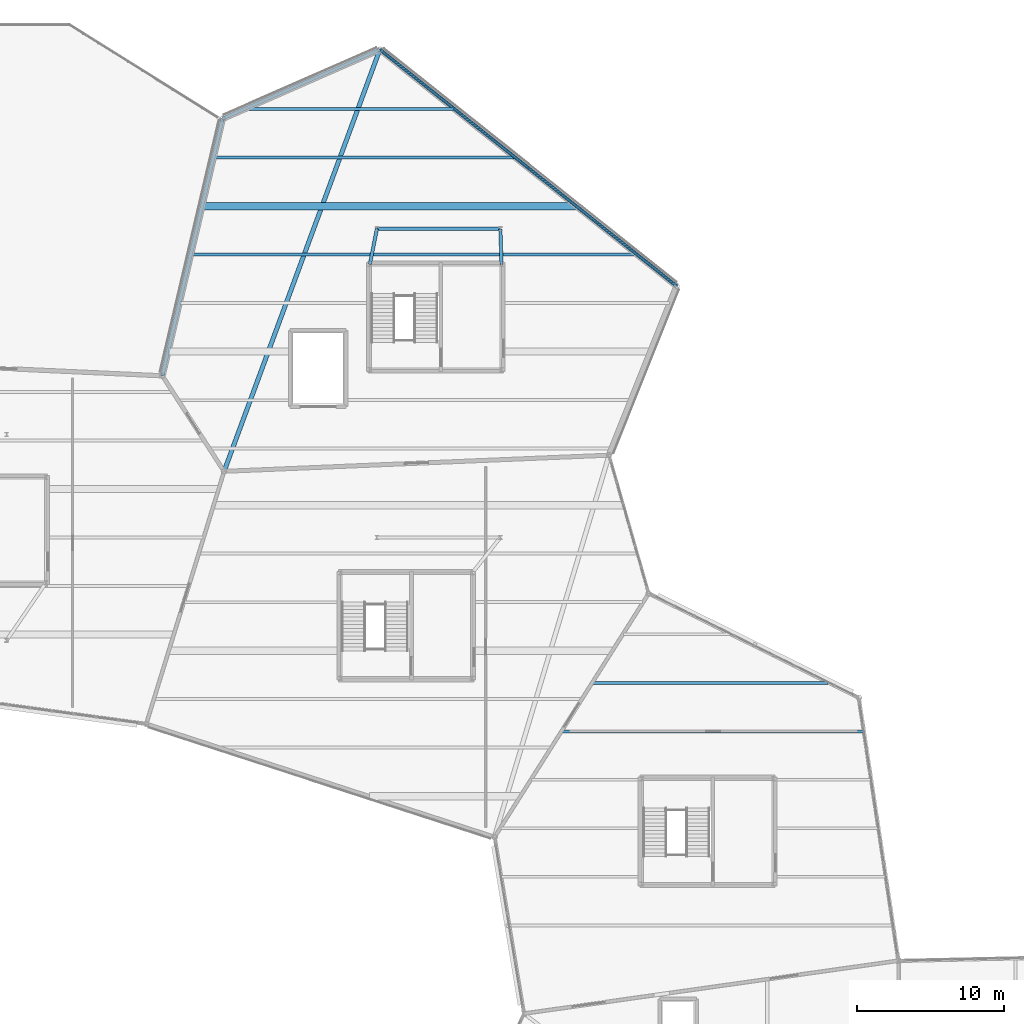
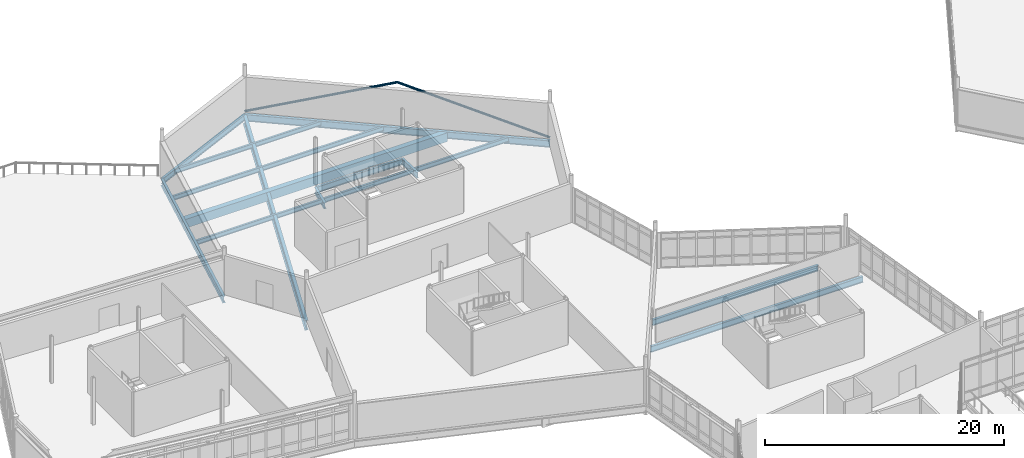
# One storey, part 48 of 114: 13 beams, 2 members.
"""IFC4 building model written with IfcOpenShell, lengths in metres."""

import ifcopenshell
import ifcopenshell.guid

model = None  # the IFC model being written
_history = None  # IfcOwnerHistory: only IFC2X3 demands one
_inside = {}  # id of a spatial element -> (the spatial element, [elements in it])
_under = {}  # id of a project, library or spatial element -> (it, [spatial elements below it])
_declared = {}  # id of a project -> (the project, [libraries it declares])
_typed = {}  # id of a type object -> (the type object, [elements of that type])
_made_of = {}  # id of a material, layer set ... -> (it, [elements and type objects made of it])


def new_model(schema):
    """Start an empty IFC model of exactly this schema.

    Asked for "IFC4X3", IfcOpenShell would pick the latest addendum, in which some entities
    have other attributes; the version numbers below select the first issue.
    IFC2X3 requires an IfcOwnerHistory on every rooted entity: one is made here for all.
    """
    global model, _history
    if schema == "IFC4X3":
        model = ifcopenshell.file(schema_version=(4, 3, 0, 0))
    else:
        model = ifcopenshell.file(schema=schema)
    _inside.clear()
    _under.clear()
    _declared.clear()
    _typed.clear()
    _made_of.clear()
    _history = None
    if model.schema == "IFC2X3":
        org = make("IfcOrganization", Name="unknown")
        user = make(
            "IfcPersonAndOrganization",
            ThePerson=make("IfcPerson", FamilyName="unknown"),
            TheOrganization=org,
        )
        app = make(
            "IfcApplication",
            ApplicationDeveloper=org,
            Version="unknown",
            ApplicationFullName="unknown",
            ApplicationIdentifier="unknown",
        )
        _history = make(
            "IfcOwnerHistory",
            OwningUser=user,
            OwningApplication=app,
            ChangeAction="ADDED",
            CreationDate=0,
        )
    return model


def make(cls, **values):
    """One entity of the class cls with the attributes given. An attribute that is None is left unset."""
    return model.create_entity(
        cls, **{name: value for name, value in values.items() if value is not None}
    )


def rooted(cls, **values):
    """An entity with a GlobalId (a new one), such as an element, a storey or a relation."""
    return make(cls, GlobalId=ifcopenshell.guid.new(), OwnerHistory=_history, **values)


def si_unit(unit_type, name, prefix=None):
    """IfcSIUnit, for example si_unit("LENGTHUNIT", "METRE", prefix="MILLI")."""
    return make("IfcSIUnit", UnitType=unit_type, Prefix=prefix, Name=name)


def assignment(units):
    """IfcUnitAssignment: the units of a project."""
    return None if units is None else make("IfcUnitAssignment", Units=units)


def point(xyz):
    """IfcCartesianPoint."""
    return None if xyz is None else make("IfcCartesianPoint", Coordinates=xyz)


def direction(xyz):
    """IfcDirection."""
    return None if xyz is None else make("IfcDirection", DirectionRatios=xyz)


def frame(location, z_axis=None, x_axis=None):
    """IfcAxis2Placement3D, a coordinate frame: its origin and axes. An axis left out is left unset."""
    return make(
        "IfcAxis2Placement3D",
        Location=point(location),
        Axis=direction(z_axis),
        RefDirection=direction(x_axis),
    )


def frame_2d(location, x_axis=None):
    """IfcAxis2Placement2D, a coordinate frame in the plane: its origin and x axis."""
    return make(
        "IfcAxis2Placement2D", Location=point(location), RefDirection=direction(x_axis)
    )


def origin():
    """The frame at (0, 0, 0) with its axes left unset."""
    return frame((0.0, 0.0, 0.0))


def origin_2d():
    """The frame at (0, 0) in the plane with its x axis left unset."""
    return frame_2d((0.0, 0.0))


def place(relative_to, where):
    """IfcLocalPlacement: puts the frame where relative to a parent placement (None: the world)."""
    return make(
        "IfcLocalPlacement", PlacementRelTo=relative_to, RelativePlacement=where
    )


def context(
    kind, dimensions, precision=None, world=None, true_north=None, identifier=None
):
    """IfcGeometricRepresentationContext, for example the 3D "Model" context."""
    return make(
        "IfcGeometricRepresentationContext",
        ContextIdentifier=identifier,
        ContextType=kind,
        CoordinateSpaceDimension=dimensions,
        Precision=precision,
        WorldCoordinateSystem=world,
        TrueNorth=true_north,
    )


def subcontext(parent, identifier, kind, view, scale=None):
    """IfcGeometricRepresentationSubContext, for example "Body" below "Model"."""
    return make(
        "IfcGeometricRepresentationSubContext",
        ContextIdentifier=identifier,
        ContextType=kind,
        ParentContext=parent,
        TargetScale=scale,
        TargetView=view,
    )


def project(units=None, contexts=None):
    """IfcProject with its units and contexts."""
    return rooted(
        "IfcProject",
        Name="project",
        RepresentationContexts=contexts,
        UnitsInContext=assignment(units),
    )


def spatial(cls, under=None, at=None, **own):
    """A site, building, storey or space (cls), placed at a placement, below another one or the project."""
    s = rooted(cls, ObjectPlacement=at, **own)
    if under is not None:
        _under.setdefault(under.id(), (under, []))[1].append(s)
    return s


def profile(cls, at=None, kind="AREA", **sizes):
    """A parametric profile (cls). Its sizes go by their IFC names, for example OverallWidth=200.0."""
    return make(cls, ProfileType=kind, Position=at, **sizes)


def rectangle(**sizes):
    """IfcRectangleProfileDef."""
    return profile("IfcRectangleProfileDef", **sizes)


def hollow_circle(**sizes):
    """IfcCircleHollowProfileDef."""
    return profile("IfcCircleHollowProfileDef", **sizes)


def i_section(**sizes):
    """IfcIShapeProfileDef."""
    return profile("IfcIShapeProfileDef", **sizes)


def extrude(swept, where, along, depth):
    """IfcExtrudedAreaSolid: the profile swept, set in the frame where, extruded along a direction by depth."""
    return make(
        "IfcExtrudedAreaSolid",
        SweptArea=swept,
        Position=where,
        ExtrudedDirection=direction(along),
        Depth=depth,
    )


def shape(context_of_items, identifier, shape_type, items):
    """IfcShapeRepresentation: the items that make up one representation, for example the "Body"."""
    return make(
        "IfcShapeRepresentation",
        ContextOfItems=context_of_items,
        RepresentationIdentifier=identifier,
        RepresentationType=shape_type,
        Items=items,
    )


def material(Name=None, Category=None):
    """IfcMaterial."""
    return make("IfcMaterial", Name=Name, Category=Category)


def material_profile(
    of_material, cross_section, Name=None, Category=None, Priority=None
):
    """IfcMaterialProfile: a cross section and its material."""
    return make(
        "IfcMaterialProfile",
        Name=Name,
        Material=of_material,
        Profile=cross_section,
        Priority=Priority,
        Category=Category,
    )


def profile_set(profiles, Name=None, composite=None):
    """IfcMaterialProfileSet."""
    return make(
        "IfcMaterialProfileSet",
        Name=Name,
        MaterialProfiles=profiles,
        CompositeProfile=composite,
    )


def made_of(thing, what):
    """Note that an element or type object is made of a material, layer set ...; save() writes the relation."""
    if what is not None:
        _made_of.setdefault(what.id(), (what, []))[1].append(thing)
    return thing


def type_object(cls, material=None, **own):
    """A type object (cls), such as IfcWallType, which elements share."""
    return made_of(rooted(cls, **own), material)


def element(
    cls,
    number,
    at=None,
    inside=None,
    cuts=None,
    type_object=None,
    material=None,
    context=None,
    identifier="Body",
    shape_type=None,
    held_by="IfcProductDefinitionShape",
    body=None,
    shapes=None,
    **own,
):
    """One element of the class cls, such as IfcWall. Its Tag is "e" and its number.

    at: its placement. inside: the storey or other place that contains it. cuts: it is an
    opening in that element (IfcRelVoidsElement). A single representation is given by context,
    identifier, shape_type and body (its items); several are given by shapes. held_by: the class
    of the entity that holds the representations. save() writes the other relations.
    """
    e = rooted(cls, Tag="e%d" % number, ObjectPlacement=at, **own)
    if body is not None:
        shapes = [shape(context, identifier, shape_type, body)]
    if shapes is not None:
        e.Representation = make(held_by, Representations=shapes)
    if inside is not None:
        _inside.setdefault(inside.id(), (inside, []))[1].append(e)
    if cuts is not None:
        rooted(
            "IfcRelVoidsElement", RelatingBuildingElement=cuts, RelatedOpeningElement=e
        )
    if type_object is not None:
        _typed.setdefault(type_object.id(), (type_object, []))[1].append(e)
    return made_of(e, material)


def aggregate(whole, parts):
    """IfcRelAggregates: a whole, such as a stair, and the parts it consists of."""
    return rooted("IfcRelAggregates", RelatingObject=whole, RelatedObjects=parts)


def save(model, path):
    """Write the relations noted so far, then the file.

    IfcRelAggregates (storeys below a building ...), IfcRelContainedInSpatialStructure (elements
    in a storey), IfcRelDefinesByType, IfcRelAssociatesMaterial and IfcRelDeclares: one each for
    every whole, place, type object, material and project.
    """
    for whole, parts in _under.values():
        aggregate(whole, parts)
    for where, things in _inside.values():
        rooted(
            "IfcRelContainedInSpatialStructure",
            RelatedElements=things,
            RelatingStructure=where,
        )
    for kind, things in _typed.values():
        rooted("IfcRelDefinesByType", RelatedObjects=things, RelatingType=kind)
    for what, things in _made_of.values():
        rooted("IfcRelAssociatesMaterial", RelatedObjects=things, RelatingMaterial=what)
    for by, libraries in _declared.values():
        rooted("IfcRelDeclares", RelatingContext=by, RelatedDefinitions=libraries)
    model.write(path)


model = new_model("IFC4")

# Units and contexts
model_context = context("Model", 3, precision=1e-05, world=origin(), true_north=direction((0.0, 1.0)))
body_context = subcontext(model_context, "Body", "Model", "MODEL_VIEW")
ifc_project = project(units=[si_unit("LENGTHUNIT", "METRE"), si_unit("AREAUNIT", "SQUARE_METRE"), si_unit("VOLUMEUNIT", "CUBIC_METRE"), si_unit("PLANEANGLEUNIT", "RADIAN"), si_unit("MASSUNIT", "GRAM", prefix="KILO")], contexts=[model_context])

# Site, building, storey
site_placement = place(None, origin())
site = spatial("IfcSite", under=ifc_project, at=site_placement, CompositionType="ELEMENT")
building_placement = place(site_placement, origin())
building = spatial("IfcBuilding", under=site, at=building_placement, Name="Tameran Prism Museum", CompositionType="ELEMENT")
storey_placement = place(building_placement, frame((0.0, 0.0, 10.199951171875)))
storey = spatial("IfcBuildingStorey", under=building, at=storey_placement, Name="L02", CompositionType="ELEMENT", Elevation=10.199951171875)

# Beams
ifc_material_1 = material(Name="Steel Grade 300PLUS (300 MPa)", Category="steel")
ifc_material_profile_1 = material_profile(ifc_material_1, i_section(OverallWidth=0.19091796875, OverallDepth=0.4599609375, WebThickness=0.010009765625, FlangeThickness=0.01611328125, FilletRadius=0.011474609375, at=origin_2d()))
ifc_profile_set_1 = profile_set([ifc_material_profile_1])
beam_type_1 = type_object("IfcBeamType", Name="BM-J460A", PredefinedType="JOIST", material=ifc_profile_set_1)
beam_1_placement = place(storey_placement, frame((29.3740234375, 96.25, -0.489990234375), z_axis=(1.0, 0.0, 0.0), x_axis=(0.0, 1.0, 0.0)))
element("IfcBeam", 1, at=beam_1_placement, inside=storey, type_object=beam_type_1, Name="Floor Beam BM-0921", PredefinedType="JOIST", context=body_context, shape_type="SweptSolid", body=[
    extrude(i_section(OverallWidth=0.19091796875, OverallDepth=0.4599609375, WebThickness=0.010009765625, FlangeThickness=0.01611328125, FilletRadius=0.011474609375, at=origin_2d()), origin(), (0.0, 0.0, 1.0), 30.263916015625),
])
beam_2_placement = place(storey_placement, frame((30.919921875, 102.85009765625, -0.489990234375), z_axis=(1.0, 0.0, 0.0), x_axis=(0.0, 1.0, 0.0)))
element("IfcBeam", 2, at=beam_2_placement, inside=storey, type_object=beam_type_1, Name="Floor Beam BM-0923", PredefinedType="JOIST", context=body_context, shape_type="SweptSolid", body=[
    extrude(i_section(OverallWidth=0.19091796875, OverallDepth=0.4599609375, WebThickness=0.010009765625, FlangeThickness=0.01611328125, FilletRadius=0.011474609375, at=origin_2d()), origin(), (0.0, 0.0, 1.0), 20.43798828125),
])
beam_3_placement = place(storey_placement, frame((33.0791015625, 106.14990234375, -0.489990234375), z_axis=(1.0, 0.0, 0.0), x_axis=(0.0, 1.0, 0.0)))
element("IfcBeam", 3, at=beam_3_placement, inside=storey, type_object=beam_type_1, Name="Floor Beam BM-0924", PredefinedType="JOIST", context=body_context, shape_type="SweptSolid", body=[
    extrude(i_section(OverallWidth=0.19091796875, OverallDepth=0.4599609375, WebThickness=0.010009765625, FlangeThickness=0.01611328125, FilletRadius=0.011474609375, at=origin_2d()), origin(), (0.0, 0.0, 1.0), 14.137939453125),
])
ifc_material_2 = material(Name="Concrete N40 (40 MPa)", Category="concrete")
ifc_material_profile_2 = material_profile(ifc_material_2, rectangle(XDim=0.5, YDim=0.89990234375, at=origin_2d()))
ifc_profile_set_2 = profile_set([ifc_material_profile_2])
beam_type_2 = type_object("IfcBeamType", Name="BM-RC900", PredefinedType="BEAM", material=ifc_profile_set_2)
beam_4_placement = place(storey_placement, frame((30.14697265625, 99.550048828125, -0.7099609375), z_axis=(1.0, 0.0, 0.0), x_axis=(0.0, 1.0, 0.0)))
element("IfcBeam", 4, at=beam_4_placement, inside=storey, type_object=beam_type_2, Name="Floor Beam BM-0922", PredefinedType="BEAM", context=body_context, shape_type="SweptSolid", body=[
    extrude(rectangle(XDim=0.5, YDim=0.89990234375, at=origin_2d()), origin(), (0.0, 0.0, 1.0), 25.35107421875),
])
ifc_material_3 = material(Name="Steel Grade 300PLUS (300 MPa)", Category="steel")
ifc_material_profile_3 = material_profile(ifc_material_3, i_section(OverallWidth=0.22802734375, OverallDepth=0.60205078125, WebThickness=0.010498046875, FlangeThickness=0.014892578125, FilletRadius=0.013916015625, at=origin_2d()))
ifc_profile_set_3 = profile_set([ifc_material_profile_3])
beam_type_3 = type_object("IfcBeamType", Name="BM-SP610", PredefinedType="SPANDREL", material=ifc_profile_set_3)
beam_5_placement = place(storey_placement, frame((42.199951171875, 110.199951171875, -0.56103515625), z_axis=(-0.915568057854, -0.40216306573, 0.0), x_axis=(0.40216306573, -0.915568057854, 0.0)))
element("IfcBeam", 5, at=beam_5_placement, inside=storey, type_object=beam_type_3, Name="Perimeter Spandrel SP-0736", PredefinedType="SPANDREL", context=body_context, shape_type="SweptSolid", body=[
    extrude(i_section(OverallWidth=0.22802734375, OverallDepth=0.60205078125, WebThickness=0.010498046875, FlangeThickness=0.014892578125, FilletRadius=0.013916015625, at=origin_2d()), origin(), (0.0, 0.0, 1.0), 11.686767578125),
])
ifc_material_4 = material(Name="Steel Grade 350 (350 MPa)", Category="steel")
ifc_material_profile_4 = material_profile(ifc_material_4, i_section(OverallWidth=0.25, OverallDepth=0.699951171875, WebThickness=0.010009765625, FlangeThickness=0.02001953125, at=origin_2d()))
ifc_profile_set_4 = profile_set([ifc_material_profile_4])
beam_type_4 = type_object("IfcBeamType", Name="BM-SP700", PredefinedType="SPANDREL", material=ifc_profile_set_4)
beam_6_placement = place(storey_placement, frame((62.39990234375, 94.10009765625, -0.60986328125), z_axis=(-0.78200261515, 0.623275147827, 0.0), x_axis=(-0.623275147827, -0.78200261515, 0.0)))
element("IfcBeam", 6, at=beam_6_placement, inside=storey, type_object=beam_type_4, Name="Perimeter Spandrel SP-0735", PredefinedType="SPANDREL", context=body_context, shape_type="SweptSolid", body=[
    extrude(i_section(OverallWidth=0.25, OverallDepth=0.699951171875, WebThickness=0.010009765625, FlangeThickness=0.02001953125, at=origin_2d()), origin(), (0.0, 0.0, 1.0), 25.8310546875),
])
beam_7_placement = place(storey_placement, frame((31.5, 105.5, -0.60986328125), z_axis=(-0.228114067381, -0.973634414071, 0.0), x_axis=(0.973634414071, -0.228114067381, 0.0)))
element("IfcBeam", 7, at=beam_7_placement, inside=storey, type_object=beam_type_4, Name="Perimeter Spandrel SP-0737", PredefinedType="SPANDREL", context=body_context, shape_type="SweptSolid", body=[
    extrude(i_section(OverallWidth=0.25, OverallDepth=0.699951171875, WebThickness=0.010009765625, FlangeThickness=0.02001953125, at=origin_2d()), origin(), (0.0, 0.0, 1.0), 17.973876953125),
])
ifc_material_5 = material(Name="Steel Grade 300PLUS (300 MPa)", Category="steel")
ifc_material_profile_5 = material_profile(ifc_material_5, i_section(OverallWidth=0.22900390625, OverallDepth=0.612060546875, WebThickness=0.011962890625, FlangeThickness=0.01953125, FilletRadius=0.013916015625, at=origin_2d()))
ifc_profile_set_5 = profile_set([ifc_material_profile_5])
beam_type_5 = type_object("IfcBeamType", Name="BM-UB610A", PredefinedType="BEAM", material=ifc_profile_set_5)
beam_8_placement = place(storey_placement, frame((42.0, 98.0, -0.56591796875), z_axis=(-0.194555363686, -0.980891538582, 0.0), x_axis=(0.980891538582, -0.194555363686, 0.0)))
element("IfcBeam", 8, at=beam_8_placement, inside=storey, type_object=beam_type_5, Name="Frame Tie Girder FG-1335", PredefinedType="BEAM", context=body_context, shape_type="SweptSolid", body=[
    extrude(i_section(OverallWidth=0.22900390625, OverallDepth=0.612060546875, WebThickness=0.011962890625, FlangeThickness=0.01953125, FilletRadius=0.013916015625, at=origin_2d()), origin(), (0.0, 0.0, 1.0), 2.467041015625),
])
beam_9_placement = place(storey_placement, frame((42.0, 98.0, -0.56591796875), z_axis=(1.0, 0.0, 0.0), x_axis=(0.0, 1.0, 0.0)))
element("IfcBeam", 9, at=beam_9_placement, inside=storey, type_object=beam_type_5, Name="Frame Tie Girder FG-1336", PredefinedType="BEAM", context=body_context, shape_type="SweptSolid", body=[
    extrude(i_section(OverallWidth=0.22900390625, OverallDepth=0.612060546875, WebThickness=0.011962890625, FlangeThickness=0.01953125, FilletRadius=0.013916015625, at=origin_2d()), origin(), (0.0, 0.0, 1.0), 8.39990234375),
])
beam_10_placement = place(storey_placement, frame((50.39990234375, 98.0, -0.56591796875), z_axis=(0.033073099557, -0.999452935403, 0.0), x_axis=(0.999452935403, 0.033073099557, 0.0)))
element("IfcBeam", 10, at=beam_10_placement, inside=storey, type_object=beam_type_5, Name="Frame Tie Girder FG-1341", PredefinedType="BEAM", context=body_context, shape_type="SweptSolid", body=[
    extrude(i_section(OverallWidth=0.22900390625, OverallDepth=0.612060546875, WebThickness=0.011962890625, FlangeThickness=0.01953125, FilletRadius=0.013916015625, at=origin_2d()), origin(), (0.0, 0.0, 1.0), 2.421142578125),
])
ifc_material_6 = material(Name="Steel Grade 300PLUS (300 MPa)", Category="steel")
ifc_material_profile_6 = material_profile(ifc_material_6, i_section(OverallWidth=0.22802734375, OverallDepth=0.60693359375, WebThickness=0.01123046875, FlangeThickness=0.017333984375, FilletRadius=0.013916015625, at=origin_2d()))
ifc_profile_set_6 = profile_set([ifc_material_profile_6])
beam_type_6 = type_object("IfcBeamType", Name="BM-UB610B", PredefinedType="BEAM", material=ifc_profile_set_6)
beam_11_placement = place(storey_placement, frame((54.60205078125, 63.800048828125, -0.50341796875), z_axis=(1.0, 0.0, 0.0), x_axis=(0.0, 1.0, 0.0)))
element("IfcBeam", 11, at=beam_11_placement, inside=storey, type_object=beam_type_6, Name="Floor Beam BM-0869", PredefinedType="BEAM", context=body_context, shape_type="SweptSolid", body=[
    extrude(i_section(OverallWidth=0.22802734375, OverallDepth=0.60693359375, WebThickness=0.01123046875, FlangeThickness=0.017333984375, FilletRadius=0.013916015625, at=origin_2d()), origin(), (0.0, 0.0, 1.0), 20.50390625),
])
beam_12_placement = place(storey_placement, frame((56.68896484375, 67.10009765625, -0.50341796875), z_axis=(1.0, 0.0, 0.0), x_axis=(0.0, 1.0, 0.0)))
element("IfcBeam", 12, at=beam_12_placement, inside=storey, type_object=beam_type_6, Name="Floor Beam BM-0870", PredefinedType="BEAM", context=body_context, shape_type="SweptSolid", body=[
    extrude(i_section(OverallWidth=0.22802734375, OverallDepth=0.60693359375, WebThickness=0.01123046875, FlangeThickness=0.017333984375, FilletRadius=0.013916015625, at=origin_2d()), origin(), (0.0, 0.0, 1.0), 16.007080078125),
])
ifc_material_7 = material(Name="Steel Grade 350 (350 MPa)", Category="steel")
ifc_material_profile_7 = material_profile(ifc_material_7, i_section(OverallWidth=0.300048828125, OverallDepth=1.0, WebThickness=0.01611328125, FlangeThickness=0.031982421875, at=origin_2d()))
ifc_profile_set_7 = profile_set([ifc_material_profile_7])
beam_type_7 = type_object("IfcBeamType", Name="BM-WB1000", PredefinedType="BEAM", material=ifc_profile_set_7)
beam_13_placement = place(storey_placement, frame((31.60009765625, 81.5, -0.760009765625), z_axis=(0.34645889059, 0.938065156122, 0.0), x_axis=(-0.938065156122, 0.34645889059, 0.0)))
element("IfcBeam", 13, at=beam_13_placement, inside=storey, type_object=beam_type_7, Name="Primary Vertex Girder PG-0739", PredefinedType="BEAM", context=body_context, shape_type="SweptSolid", body=[
    extrude(i_section(OverallWidth=0.300048828125, OverallDepth=1.0, WebThickness=0.01611328125, FlangeThickness=0.031982421875, at=origin_2d()), origin(), (0.0, 0.0, 1.0), 30.5947265625),
])

# Members
ifc_material_8 = material(Name="Steel Grade C350L0 (350 MPa)", Category="steel")
ifc_material_profile_8 = material_profile(ifc_material_8, hollow_circle(Radius=0.109619140625, WallThickness=0.00830078125, at=origin_2d()))
ifc_profile_set_8 = profile_set([ifc_material_profile_8])
member_type = type_object("IfcMemberType", Name="MM-BR-CHS219", PredefinedType="BRACE", material=ifc_profile_set_8)
member_1_placement = place(storey_placement, frame((62.39990234375, 94.10009765625, 0.0), z_axis=(-0.741961031028, 0.59135920895, 0.315892567853), x_axis=(-0.623273974648, -0.782003550201, 0.0)))
element("IfcMember", 14, at=member_1_placement, inside=storey, type_object=member_type, Name="Lateral Chevron Brace CBF-009", PredefinedType="BRACE", context=body_context, shape_type="SweptSolid", body=[
    extrude(hollow_circle(Radius=0.109619140625, WallThickness=0.00830078125, at=origin_2d()), origin(), (0.0, 0.0, 1.0), 13.6123046875),
])
member_2_placement = place(storey_placement, frame((42.199951171875, 110.199951171875, 0.0), z_axis=(0.741961223412, -0.591363002649, 0.31588501397), x_axis=(0.623276320973, 0.782001680122, 0.0)))
element("IfcMember", 15, at=member_2_placement, inside=storey, type_object=member_type, Name="Lateral Chevron Brace CBF-010", PredefinedType="BRACE", context=body_context, shape_type="SweptSolid", body=[
    extrude(hollow_circle(Radius=0.109619140625, WallThickness=0.00830078125, at=origin_2d()), origin(), (0.0, 0.0, 1.0), 13.61279296875),
])

save(model, "model.ifc")
